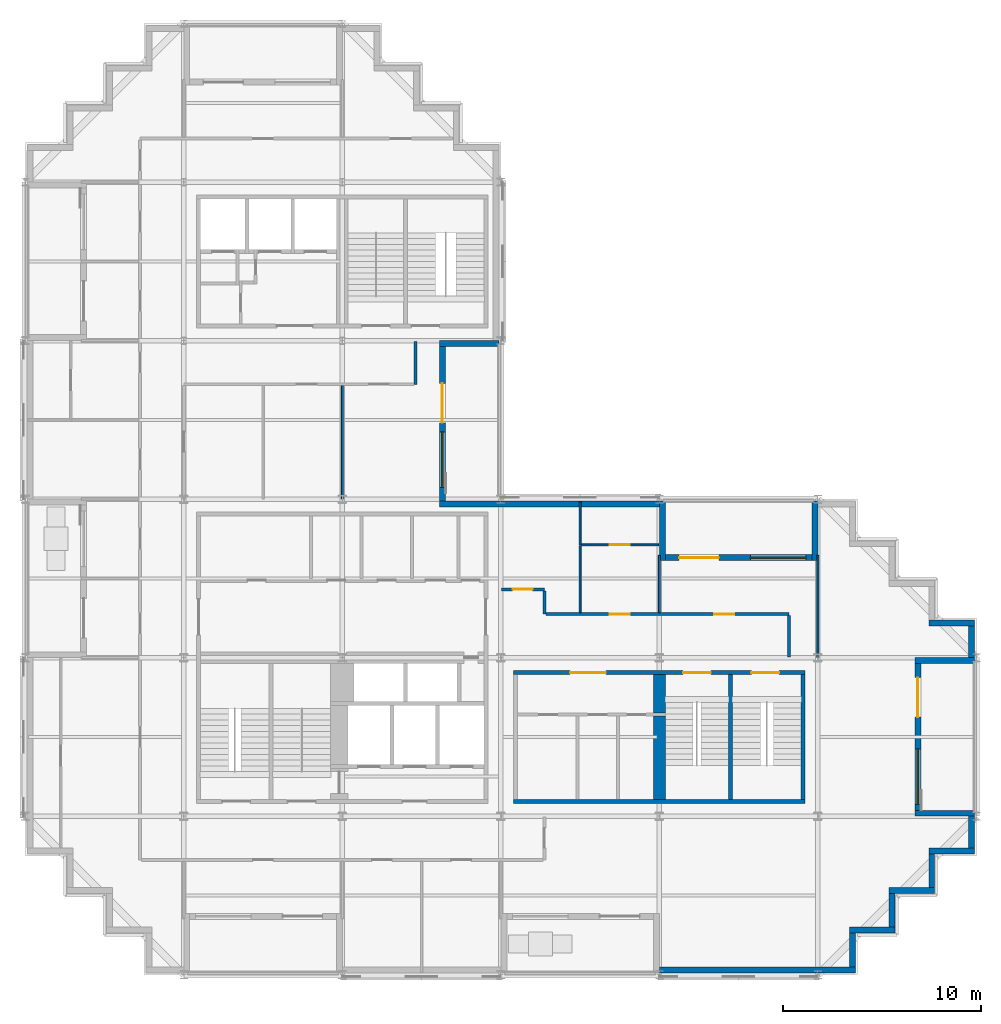
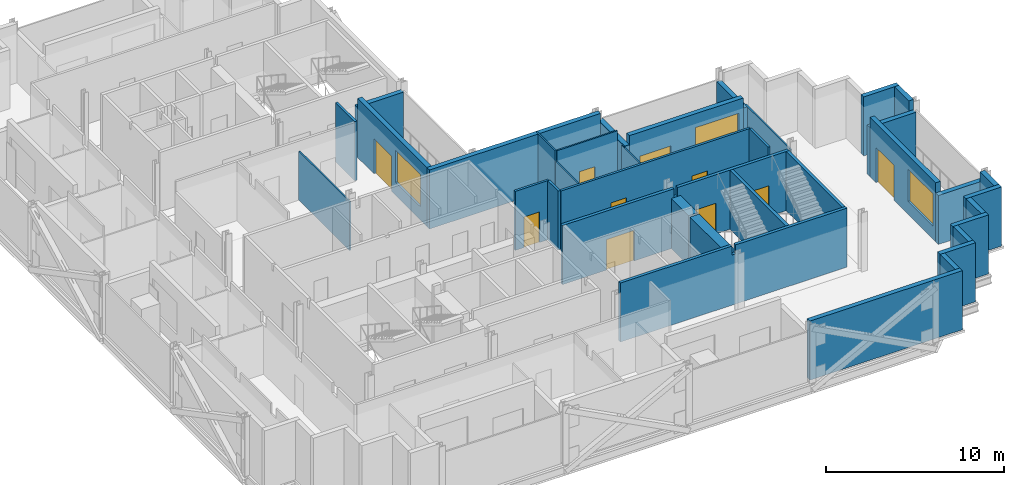
# One storey, part 7 of 13: 36 walls, 10 doors, 3 windows, 13 openings.
"""IFC4 building model written with IfcOpenShell, lengths in metres."""

from ifc_helpers import new_model, si_unit, direction, frame, frame_2d, origin, place, context, subcontext, project, spatial, polyline, rectangle, outline, extrude, material, layer, layer_set, type_object, element, fill, save


model = new_model("IFC4")

# Units and contexts
model_context = context("Model", 3, precision=1e-05, world=origin(), true_north=direction((0.0, 1.0)))
body_context = subcontext(model_context, "Body", "Model", "MODEL_VIEW")
ifc_project = project(units=[si_unit("LENGTHUNIT", "METRE"), si_unit("AREAUNIT", "SQUARE_METRE"), si_unit("VOLUMEUNIT", "CUBIC_METRE"), si_unit("PLANEANGLEUNIT", "RADIAN"), si_unit("MASSUNIT", "GRAM", prefix="KILO")], contexts=[model_context])

# Site, building, storey
site_placement = place(None, origin())
site = spatial("IfcSite", under=ifc_project, at=site_placement, CompositionType="ELEMENT")
building_placement = place(site_placement, origin())
building = spatial("IfcBuilding", under=site, at=building_placement, Name="Immortelle Media Tower", CompositionType="ELEMENT")
storey_placement = place(building_placement, frame((0.0, 0.0, 170.39990234375)))
storey = spatial("IfcBuildingStorey", under=building, at=storey_placement, Name="L35", CompositionType="ELEMENT", Elevation=170.39990234375)

# Wall
ifc_material_1 = material(Name="Fire-rated gypsum board", Category="gypsum")
ifc_layer_1 = layer(ifc_material_1, 0.012451171875)
ifc_material_2 = material(Name="Steel ASTM A653 SS Gr 50 stud frame with mineral wool", Category="steel")
ifc_layer_2 = layer(ifc_material_2, 0.125)
ifc_layer_3 = layer(ifc_material_1, 0.012451171875)
ifc_layer_set_1 = layer_set([ifc_layer_1, ifc_layer_2, ifc_layer_3], Name="Steel ASTM A653 SS Gr 50 stud frame with mineral wool")
wall_type_1 = type_object("IfcWallType", Name="Corridor wall 150", PredefinedType="PARTITIONING", material=ifc_layer_set_1)
wall_1_placement = place(storey_placement, frame((38.550048828125, 16.030029296875, 0.0), z_axis=(0.0, 0.0, 1.0), x_axis=(0.0, 1.0, 0.0)))
element("IfcWall", 1, at=wall_1_placement, inside=storey, type_object=wall_type_1, Name="Partition L35-010", PredefinedType="PARTITIONING", context=body_context, shape_type="SweptSolid", body=[
    extrude(rectangle(XDim=2.094970703125, YDim=0.14990234375, at=frame_2d((1.04736328125, 0.0))), origin(), (0.0, 0.0, 1.0), 4.050048828125),
])

# Wall, openings, doors
wall_2_placement = place(storey_placement, frame((26.27490234375, 18.199951171875, 0.0), z_axis=(0.0, 0.0, 1.0), x_axis=(1.0, 0.0, 0.0)))
wall_2 = element("IfcWall", 2, at=wall_2_placement, inside=storey, type_object=wall_type_1, Name="Partition L35-012", PredefinedType="PARTITIONING", context=body_context, shape_type="SweptSolid", body=[
    extrude(rectangle(XDim=12.275146484375, YDim=0.14990234375, at=frame_2d((6.1376953125, 0.0))), origin(), (0.0, 0.0, 1.0), 4.050048828125),
])
opening_1_placement = place(wall_2_placement, frame((8.5, 0.0, 0.0)))
opening_1 = element("IfcOpeningElement", 3, at=opening_1_placement, cuts=wall_2, Name="Opening C5-F007", PredefinedType="OPENING", context=body_context, shape_type="SweptSolid", body=[
    extrude(rectangle(XDim=1.0, YDim=2.10009765625, at=frame_2d((0.5, 1.050048828125))), frame((0.0, 0.0849609375, 0.0), z_axis=(0.0, -1.0, 0.0), x_axis=(1.0, 0.0, 0.0)), (0.0, 0.0, 1.0), 0.169921875),
])
opening_2_placement = place(wall_2_placement, frame((3.22509765625, 0.0, 0.0)))
opening_2 = element("IfcOpeningElement", 4, at=opening_2_placement, cuts=wall_2, Name="Opening C5-F011", PredefinedType="OPENING", context=body_context, shape_type="SweptSolid", body=[
    extrude(rectangle(XDim=1.0, YDim=2.10009765625, at=frame_2d((0.5, 1.050048828125))), frame((0.0, 0.0849609375, 0.0), z_axis=(0.0, -1.0, 0.0), x_axis=(1.0, 0.0, 0.0)), (0.0, 0.0, 1.0), 0.169921875),
])
ifc_material_3 = material(Name="Timber veneered door leaf, galvanised steel frame ASTM A653", Category="steel")
door_type_1 = type_object("IfcDoorType", Name="Room door 1000 x 2100", OperationType="NOTDEFINED", PredefinedType="DOOR", material=ifc_material_3)
door_1_placement = place(opening_1_placement, origin())
door_1 = element("IfcDoor", 5, at=door_1_placement, inside=storey, type_object=door_type_1, Name="Door C5-F007", OperationType="SINGLE_SWING_LEFT", OverallHeight=2.10009765625, OverallWidth=1.0, PredefinedType="DOOR", context=body_context, shape_type="SweptSolid", body=[
    extrude(rectangle(XDim=1.0, YDim=2.10009765625, at=frame_2d((0.5, 1.050048828125))), frame((0.0, 0.02490234375, 0.0), z_axis=(0.0, -1.0, 0.0), x_axis=(1.0, 0.0, 0.0)), (0.0, 0.0, 1.0), 0.050048828125),
])
fill(opening_1, door_1)
door_2_placement = place(opening_2_placement, origin())
door_2 = element("IfcDoor", 6, at=door_2_placement, inside=storey, type_object=door_type_1, Name="Door C5-F011", OperationType="SINGLE_SWING_RIGHT", OverallHeight=2.10009765625, OverallWidth=1.0, PredefinedType="DOOR", context=body_context, shape_type="SweptSolid", body=[
    extrude(rectangle(XDim=1.0, YDim=2.10009765625, at=frame_2d((0.5, 1.050048828125))), frame((0.0, 0.02490234375, 0.0), z_axis=(0.0, -1.0, 0.0), x_axis=(1.0, 0.0, 0.0)), (0.0, 0.0, 1.0), 0.050048828125),
])
fill(opening_2, door_2)

# Wall
wall_3_placement = place(storey_placement, frame((26.199951171875, 18.199951171875, 0.0), z_axis=(0.0, 0.0, 1.0), x_axis=(0.0, 1.0, 0.0)))
element("IfcWall", 7, at=wall_3_placement, inside=storey, type_object=wall_type_1, Name="Partition L35-013", PredefinedType="PARTITIONING", context=body_context, shape_type="SweptSolid", body=[
    extrude(rectangle(XDim=1.175048828125, YDim=0.14990234375, at=frame_2d((0.58740234375, 0.0))), origin(), (0.0, 0.0, 1.0), 4.050048828125),
])

# Wall, opening, door
wall_4_placement = place(storey_placement, frame((24.030029296875, 19.449951171875, 0.0), z_axis=(0.0, 0.0, 1.0), x_axis=(1.0, 0.0, 0.0)))
wall_4 = element("IfcWall", 8, at=wall_4_placement, inside=storey, type_object=wall_type_1, Name="Partition L35-016", PredefinedType="PARTITIONING", context=body_context, shape_type="SweptSolid", body=[
    extrude(rectangle(XDim=2.169921875, YDim=0.14990234375, at=frame_2d((1.0849609375, 0.0))), origin(), (0.0, 0.0, 1.0), 4.050048828125),
])
opening_3_placement = place(wall_4_placement, frame((0.570068359375, 0.0, 0.0)))
opening_3 = element("IfcOpeningElement", 9, at=opening_3_placement, cuts=wall_4, Name="Opening C5-F010", PredefinedType="OPENING", context=body_context, shape_type="SweptSolid", body=[
    extrude(rectangle(XDim=1.0, YDim=2.10009765625, at=frame_2d((0.5, 1.050048828125))), frame((0.0, 0.0849609375, 0.0), z_axis=(0.0, -1.0, 0.0), x_axis=(1.0, 0.0, 0.0)), (0.0, 0.0, 1.0), 0.169921875),
])
door_3_placement = place(opening_3_placement, origin())
door_3 = element("IfcDoor", 10, at=door_3_placement, inside=storey, type_object=door_type_1, Name="Door C5-F010", OperationType="SINGLE_SWING_LEFT", OverallHeight=2.10009765625, OverallWidth=1.0, PredefinedType="DOOR", context=body_context, shape_type="SweptSolid", body=[
    extrude(rectangle(XDim=1.0, YDim=2.10009765625, at=frame_2d((0.5, 1.050048828125))), frame((0.0, 0.02490234375, 0.0), z_axis=(0.0, -1.0, 0.0), x_axis=(1.0, 0.0, 0.0)), (0.0, 0.0, 1.0), 0.050048828125),
])
fill(opening_3, door_3)

# Walls
wall_5_placement = place(storey_placement, frame((19.699951171875, 29.800048828125, 0.0), z_axis=(0.0, 0.0, 1.0), x_axis=(0.0, 1.0, 0.0)))
element("IfcWall", 11, at=wall_5_placement, inside=storey, type_object=wall_type_1, Name="Partition L35-028", PredefinedType="PARTITIONING", context=body_context, shape_type="SweptSolid", body=[
    extrude(rectangle(XDim=2.169921875, YDim=0.14990234375, at=frame_2d((1.0849609375, 0.0))), origin(), (0.0, 0.0, 1.0), 4.050048828125),
])
ifc_material_4 = material(Name="Pale aluminium cladding panel", Category="aluminium")
ifc_layer_4 = layer(ifc_material_4, 0.030029296875)
ifc_layer_5 = layer(ifc_material_2, 0.257568359375)
ifc_material_5 = material(Name="Moisture-resistant gypsum board", Category="gypsum")
ifc_layer_6 = layer(ifc_material_5, 0.012451171875)
ifc_layer_set_2 = layer_set([ifc_layer_4, ifc_layer_5, ifc_layer_6], Name="Steel ASTM A653 SS Gr 50 stud frame with mineral wool")
wall_type_2 = type_object("IfcWallType", Name="Facade wall 300", PredefinedType="SOLIDWALL", material=ifc_layer_set_2)
wall_6_placement = place(storey_placement, frame((32.0, 0.25, 0.0), z_axis=(0.0, 0.0, 1.0), x_axis=(1.0, 0.0, 0.0)))
element("IfcWall", 12, at=wall_6_placement, inside=storey, type_object=wall_type_2, Name="Facade wall L35 S6", PredefinedType="SOLIDWALL", context=body_context, shape_type="SweptSolid", body=[
    extrude(rectangle(XDim=9.89990234375, YDim=0.300048828125, at=frame_2d((4.949951171875, 0.0))), origin(), (0.0, 0.0, 1.0), 4.050048828125),
])
wall_7_placement = place(storey_placement, frame((41.75, 0.39990234375, 0.0), z_axis=(0.0, 0.0, 1.0), x_axis=(0.0, 1.0, 0.0)))
element("IfcWall", 13, at=wall_7_placement, inside=storey, type_object=wall_type_2, Name="Facade wall L35 E7", PredefinedType="SOLIDWALL", context=body_context, shape_type="SweptSolid", body=[
    extrude(rectangle(XDim=1.7001953125, YDim=0.300048828125, at=frame_2d((0.85009765625, 0.0))), origin(), (0.0, 0.0, 1.0), 4.050048828125),
])
wall_8_placement = place(storey_placement, frame((41.60009765625, 2.25, 0.0), z_axis=(0.0, 0.0, 1.0), x_axis=(1.0, 0.0, 0.0)))
element("IfcWall", 14, at=wall_8_placement, inside=storey, type_object=wall_type_2, Name="Facade wall L35 S8", PredefinedType="SOLIDWALL", context=body_context, shape_type="SweptSolid", body=[
    extrude(rectangle(XDim=2.2998046875, YDim=0.300048828125, at=frame_2d((1.14990234375, 0.0))), origin(), (0.0, 0.0, 1.0), 4.050048828125),
])
wall_9_placement = place(storey_placement, frame((43.75, 2.39990234375, 0.0), z_axis=(0.0, 0.0, 1.0), x_axis=(0.0, 1.0, 0.0)))
element("IfcWall", 15, at=wall_9_placement, inside=storey, type_object=wall_type_2, Name="Facade wall L35 E9", PredefinedType="SOLIDWALL", context=body_context, shape_type="SweptSolid", body=[
    extrude(rectangle(XDim=1.7001953125, YDim=0.300048828125, at=frame_2d((0.85009765625, 0.0))), origin(), (0.0, 0.0, 1.0), 4.050048828125),
])
wall_10_placement = place(storey_placement, frame((43.60009765625, 4.25, 0.0), z_axis=(0.0, 0.0, 1.0), x_axis=(1.0, 0.0, 0.0)))
element("IfcWall", 16, at=wall_10_placement, inside=storey, type_object=wall_type_2, Name="Facade wall L35 S10", PredefinedType="SOLIDWALL", context=body_context, shape_type="SweptSolid", body=[
    extrude(rectangle(XDim=2.2998046875, YDim=0.300048828125, at=frame_2d((1.14990234375, 0.0))), origin(), (0.0, 0.0, 1.0), 4.050048828125),
])
wall_11_placement = place(storey_placement, frame((45.75, 4.39990234375, 0.0), z_axis=(0.0, 0.0, 1.0), x_axis=(0.0, 1.0, 0.0)))
element("IfcWall", 17, at=wall_11_placement, inside=storey, type_object=wall_type_2, Name="Facade wall L35 E11", PredefinedType="SOLIDWALL", context=body_context, shape_type="SweptSolid", body=[
    extrude(rectangle(XDim=1.7001953125, YDim=0.300048828125, at=frame_2d((0.85009765625, 0.0))), origin(), (0.0, 0.0, 1.0), 4.050048828125),
])
wall_12_placement = place(storey_placement, frame((45.60009765625, 6.25, 0.0), z_axis=(0.0, 0.0, 1.0), x_axis=(1.0, 0.0, 0.0)))
element("IfcWall", 18, at=wall_12_placement, inside=storey, type_object=wall_type_2, Name="Facade wall L35 S12", PredefinedType="SOLIDWALL", context=body_context, shape_type="SweptSolid", body=[
    extrude(rectangle(XDim=2.2998046875, YDim=0.300048828125, at=frame_2d((1.14990234375, 0.0))), origin(), (0.0, 0.0, 1.0), 4.050048828125),
])
wall_13_placement = place(storey_placement, frame((47.75, 6.39990234375, 0.0), z_axis=(0.0, 0.0, 1.0), x_axis=(0.0, 1.0, 0.0)))
element("IfcWall", 19, at=wall_13_placement, inside=storey, type_object=wall_type_2, Name="Facade wall L35 E13", PredefinedType="SOLIDWALL", context=body_context, shape_type="SweptSolid", body=[
    extrude(rectangle(XDim=1.60009765625, YDim=0.300048828125, at=frame_2d((0.800048828125, 0.0))), origin(), (0.0, 0.0, 1.0), 4.050048828125),
])

# Wall, openings, door, window
wall_14_placement = place(storey_placement, frame((45.050048828125, 8.300048828125, 0.0), z_axis=(0.0, 0.0, 1.0), x_axis=(0.0, 1.0, 0.0)))
wall_14 = element("IfcWall", 20, at=wall_14_placement, inside=storey, type_object=wall_type_2, Name="Loggia wall L35 E13", PredefinedType="SOLIDWALL", context=body_context, shape_type="SweptSolid", body=[
    extrude(rectangle(XDim=7.39990234375, YDim=0.300048828125, at=frame_2d((3.699951171875, 0.0))), origin(), (0.0, 0.0, 1.0), 4.050048828125),
])
opening_4_placement = place(wall_14_placement, frame((0.300048828125, 0.0, 0.89990234375)))
opening_4 = element("IfcOpeningElement", 21, at=opening_4_placement, cuts=wall_14, Name="Opening W1", PredefinedType="OPENING", context=body_context, shape_type="SweptSolid", body=[
    extrude(rectangle(XDim=2.800048828125, YDim=2.199951171875, at=frame_2d((1.39990234375, 1.10009765625))), frame((0.0, 0.159912109375, 0.0), z_axis=(0.0, -1.0, 0.0), x_axis=(1.0, 0.0, 0.0)), (0.0, 0.0, 1.0), 0.320068359375),
])
opening_5_placement = place(wall_14_placement, frame((4.699951171875, 0.0, 0.0)))
opening_5 = element("IfcOpeningElement", 22, at=opening_5_placement, cuts=wall_14, Name="Opening C5-E003", PredefinedType="OPENING", context=body_context, shape_type="SweptSolid", body=[
    extrude(rectangle(XDim=2.0, YDim=2.39990234375, at=frame_2d((1.0, 1.199951171875))), frame((0.0, 0.159912109375, 0.0), z_axis=(0.0, -1.0, 0.0), x_axis=(1.0, 0.0, 0.0)), (0.0, 0.0, 1.0), 0.320068359375),
])
ifc_material_6 = material(Name="Aluminium frame, glazed leaves", Category="aluminium")
door_type_2 = type_object("IfcDoorType", Name="Loggia door 2000 x 2400", OperationType="DOUBLE_DOOR_SINGLE_SWING", PredefinedType="DOOR", material=ifc_material_6)
door_4_placement = place(opening_5_placement, origin())
door_4 = element("IfcDoor", 23, at=door_4_placement, inside=storey, type_object=door_type_2, Name="Door C5-E003", OperationType="DOUBLE_DOOR_SINGLE_SWING", OverallHeight=2.39990234375, OverallWidth=2.0, PredefinedType="DOOR", context=body_context, shape_type="SweptSolid", body=[
    extrude(rectangle(XDim=2.0, YDim=2.39990234375, at=frame_2d((1.0, 1.199951171875))), frame((0.0, 0.02490234375, 0.0), z_axis=(0.0, -1.0, 0.0), x_axis=(1.0, 0.0, 0.0)), (0.0, 0.0, 1.0), 0.050048828125),
])
fill(opening_5, door_4)
ifc_material_7 = material(Name="Aluminium frame", Category="aluminium")
window_type = type_object("IfcWindowType", Name="Window 2800 x 2200", PartitioningType="SINGLE_PANEL", PredefinedType="WINDOW", material=ifc_material_7)
window_1_placement = place(opening_4_placement, origin())
window_1 = element("IfcWindow", 24, at=window_1_placement, inside=storey, type_object=window_type, Name="Window L35 L35-R13-B0", OverallHeight=2.199951171875, OverallWidth=2.800048828125, PartitioningType="SINGLE_PANEL", PredefinedType="WINDOW", context=body_context, shape_type="SweptSolid", body=[
    extrude(rectangle(XDim=2.800048828125, YDim=2.199951171875, at=frame_2d((1.39990234375, 1.10009765625))), frame((0.0, 0.030029296875, 0.0), z_axis=(0.0, -1.0, 0.0), x_axis=(1.0, 0.0, 0.0)), (0.0, 0.0, 1.0), 0.06005859375),
])
fill(opening_4, window_1)

# Walls
for number, where, z_axis, x_axis, name in (
    (25, (47.89990234375, 8.14990234375, 0.0), (0.0, 0.0, 1.0), (-1.0, 0.0, 0.0), "Loggia cheek wall L35 E"),
    (26, (47.89990234375, 15.85009765625, 0.0), (0.0, 0.0, 1.0), (-1.0, 0.0, 0.0), "Loggia cheek wall L35 E"),
):
    element("IfcWall", number, at=place(storey_placement, frame(where, z_axis=z_axis, x_axis=x_axis)), inside=storey, type_object=wall_type_2, Name=name, PredefinedType="SOLIDWALL", context=body_context, shape_type="SweptSolid", body=[
        extrude(rectangle(XDim=3.0, YDim=0.300048828125, at=frame_2d((1.5, 0.0))), origin(), (0.0, 0.0, 1.0), 3.35302734375),
    ])
wall_15_placement = place(storey_placement, frame((47.75, 16.0, 0.0), z_axis=(0.0, 0.0, 1.0), x_axis=(0.0, 1.0, 0.0)))
element("IfcWall", 27, at=wall_15_placement, inside=storey, type_object=wall_type_2, Name="Facade wall L35 E13", PredefinedType="SOLIDWALL", context=body_context, shape_type="SweptSolid", body=[
    extrude(rectangle(XDim=1.60009765625, YDim=0.300048828125, at=frame_2d((0.800048828125, 0.0))), origin(), (0.0, 0.0, 1.0), 4.050048828125),
])
wall_16_placement = place(storey_placement, frame((47.89990234375, 17.75, 0.0), z_axis=(0.0, 0.0, 1.0), x_axis=(-1.0, 0.0, 0.0)))
element("IfcWall", 28, at=wall_16_placement, inside=storey, type_object=wall_type_2, Name="Facade wall L35 N14", PredefinedType="SOLIDWALL", context=body_context, shape_type="SweptSolid", body=[
    extrude(rectangle(XDim=2.2998046875, YDim=0.300048828125, at=frame_2d((1.14990234375, 0.0))), origin(), (0.0, 0.0, 1.0), 4.050048828125),
])

# Wall, openings, door, window
wall_17_placement = place(storey_placement, frame((39.699951171875, 21.050048828125, 0.0), z_axis=(0.0, 0.0, 1.0), x_axis=(-1.0, 0.0, 0.0)))
wall_17 = element("IfcWall", 29, at=wall_17_placement, inside=storey, type_object=wall_type_2, Name="Loggia wall L35 N20", PredefinedType="SOLIDWALL", context=body_context, shape_type="SweptSolid", body=[
    extrude(rectangle(XDim=7.39990234375, YDim=0.300048828125, at=frame_2d((3.699951171875, 0.0))), origin(), (0.0, 0.0, 1.0), 4.050048828125),
])
opening_6_placement = place(wall_17_placement, frame((0.300048828125, 0.0, 0.89990234375)))
opening_6 = element("IfcOpeningElement", 30, at=opening_6_placement, cuts=wall_17, Name="Opening W1", PredefinedType="OPENING", context=body_context, shape_type="SweptSolid", body=[
    extrude(rectangle(XDim=2.800048828125, YDim=2.199951171875, at=frame_2d((1.39990234375, 1.10009765625))), frame((0.0, 0.159912109375, 0.0), z_axis=(0.0, -1.0, 0.0), x_axis=(1.0, 0.0, 0.0)), (0.0, 0.0, 1.0), 0.320068359375),
])
opening_7_placement = place(wall_17_placement, frame((4.699951171875, 0.0, 0.0)))
opening_7 = element("IfcOpeningElement", 31, at=opening_7_placement, cuts=wall_17, Name="Opening C5-E004", PredefinedType="OPENING", context=body_context, shape_type="SweptSolid", body=[
    extrude(rectangle(XDim=2.0, YDim=2.39990234375, at=frame_2d((1.0, 1.199951171875))), frame((0.0, 0.159912109375, 0.0), z_axis=(0.0, -1.0, 0.0), x_axis=(1.0, 0.0, 0.0)), (0.0, 0.0, 1.0), 0.320068359375),
])
door_5_placement = place(opening_7_placement, origin())
door_5 = element("IfcDoor", 32, at=door_5_placement, inside=storey, type_object=door_type_2, Name="Door C5-E004", OperationType="DOUBLE_DOOR_SINGLE_SWING", OverallHeight=2.39990234375, OverallWidth=2.0, PredefinedType="DOOR", context=body_context, shape_type="SweptSolid", body=[
    extrude(rectangle(XDim=2.0, YDim=2.39990234375, at=frame_2d((1.0, 1.199951171875))), frame((0.0, 0.02490234375, 0.0), z_axis=(0.0, -1.0, 0.0), x_axis=(1.0, 0.0, 0.0)), (0.0, 0.0, 1.0), 0.050048828125),
])
fill(opening_7, door_5)
window_2_placement = place(opening_6_placement, origin())
window_2 = element("IfcWindow", 33, at=window_2_placement, inside=storey, type_object=window_type, Name="Window L35 L35-R20-B0", OverallHeight=2.199951171875, OverallWidth=2.800048828125, PartitioningType="SINGLE_PANEL", PredefinedType="WINDOW", context=body_context, shape_type="SweptSolid", body=[
    extrude(rectangle(XDim=2.800048828125, YDim=2.199951171875, at=frame_2d((1.39990234375, 1.10009765625))), frame((0.0, 0.030029296875, 0.0), z_axis=(0.0, -1.0, 0.0), x_axis=(1.0, 0.0, 0.0)), (0.0, 0.0, 1.0), 0.06005859375),
])
fill(opening_6, window_2)

# Walls
wall_18_placement = place(storey_placement, frame((39.85009765625, 23.89990234375, 0.0), z_axis=(0.0, 0.0, 1.0), x_axis=(0.0, -1.0, 0.0)))
element("IfcWall", 34, at=wall_18_placement, inside=storey, type_object=wall_type_2, Name="Loggia cheek wall L35 N", PredefinedType="SOLIDWALL", context=body_context, shape_type="SweptSolid", body=[
    extrude(rectangle(XDim=3.0, YDim=0.300048828125, at=frame_2d((1.5, 0.0))), origin(), (0.0, 0.0, 1.0), 3.35302734375),
])
wall_19_placement = place(storey_placement, frame((32.14990234375, 23.89990234375, 0.0), z_axis=(0.0, 0.0, 1.0), x_axis=(0.0, -1.0, 0.0)))
element("IfcWall", 35, at=wall_19_placement, inside=storey, type_object=wall_type_2, Name="Loggia cheek wall L35 N", PredefinedType="SOLIDWALL", context=body_context, shape_type="SweptSolid", body=[
    extrude(rectangle(XDim=3.0, YDim=0.300048828125, at=frame_2d((1.5, 0.0))), origin(), (0.0, 0.0, 1.0), 3.43701171875),
])
wall_20_placement = place(storey_placement, frame((32.0, 23.75, 0.0), z_axis=(0.0, 0.0, 1.0), x_axis=(-1.0, 0.0, 0.0)))
element("IfcWall", 36, at=wall_20_placement, inside=storey, type_object=wall_type_2, Name="Facade wall L35 N20", PredefinedType="SOLIDWALL", context=body_context, shape_type="SweptSolid", body=[
    extrude(rectangle(XDim=11.10009765625, YDim=0.300048828125, at=frame_2d((5.550048828125, 0.0))), origin(), (0.0, 0.0, 1.0), 4.050048828125),
])

# Wall, openings, door, window
wall_21_placement = place(storey_placement, frame((21.050048828125, 23.89990234375, 0.0), z_axis=(0.0, 0.0, 1.0), x_axis=(0.0, 1.0, 0.0)))
wall_21 = element("IfcWall", 37, at=wall_21_placement, inside=storey, type_object=wall_type_2, Name="Loggia wall L35 E21", PredefinedType="SOLIDWALL", context=body_context, shape_type="SweptSolid", body=[
    extrude(rectangle(XDim=7.800048828125, YDim=0.300048828125, at=frame_2d((3.89990234375, 0.0))), origin(), (0.0, 0.0, 1.0), 4.050048828125),
])
opening_8_placement = place(wall_21_placement, frame((0.699951171875, 0.0, 0.89990234375)))
opening_8 = element("IfcOpeningElement", 38, at=opening_8_placement, cuts=wall_21, Name="Opening W1", PredefinedType="OPENING", context=body_context, shape_type="SweptSolid", body=[
    extrude(rectangle(XDim=2.800048828125, YDim=2.199951171875, at=frame_2d((1.39990234375, 1.10009765625))), frame((0.0, 0.159912109375, 0.0), z_axis=(0.0, -1.0, 0.0), x_axis=(1.0, 0.0, 0.0)), (0.0, 0.0, 1.0), 0.320068359375),
])
opening_9_placement = place(wall_21_placement, frame((3.949951171875, 0.0, 0.0)))
opening_9 = element("IfcOpeningElement", 39, at=opening_9_placement, cuts=wall_21, Name="Opening C5-E005", PredefinedType="OPENING", context=body_context, shape_type="SweptSolid", body=[
    extrude(rectangle(XDim=2.0, YDim=2.39990234375, at=frame_2d((1.0, 1.199951171875))), frame((0.0, 0.159912109375, 0.0), z_axis=(0.0, -1.0, 0.0), x_axis=(1.0, 0.0, 0.0)), (0.0, 0.0, 1.0), 0.320068359375),
])
door_6_placement = place(opening_9_placement, origin())
door_6 = element("IfcDoor", 40, at=door_6_placement, inside=storey, type_object=door_type_2, Name="Door C5-E005", OperationType="DOUBLE_DOOR_SINGLE_SWING", OverallHeight=2.39990234375, OverallWidth=2.0, PredefinedType="DOOR", context=body_context, shape_type="SweptSolid", body=[
    extrude(rectangle(XDim=2.0, YDim=2.39990234375, at=frame_2d((1.0, 1.199951171875))), frame((0.0, 0.02490234375, 0.0), z_axis=(0.0, -1.0, 0.0), x_axis=(1.0, 0.0, 0.0)), (0.0, 0.0, 1.0), 0.050048828125),
])
fill(opening_9, door_6)
window_3_placement = place(opening_8_placement, origin())
window_3 = element("IfcWindow", 41, at=window_3_placement, inside=storey, type_object=window_type, Name="Window L35 L35-R21-B0", OverallHeight=2.199951171875, OverallWidth=2.800048828125, PartitioningType="SINGLE_PANEL", PredefinedType="WINDOW", context=body_context, shape_type="SweptSolid", body=[
    extrude(rectangle(XDim=2.800048828125, YDim=2.199951171875, at=frame_2d((1.39990234375, 1.10009765625))), frame((0.0, 0.030029296875, 0.0), z_axis=(0.0, -1.0, 0.0), x_axis=(1.0, 0.0, 0.0)), (0.0, 0.0, 1.0), 0.06005859375),
])
fill(opening_8, window_3)

# Walls
wall_22_placement = place(storey_placement, frame((23.89990234375, 31.85009765625, 0.0), z_axis=(0.0, 0.0, 1.0), x_axis=(-1.0, 0.0, 0.0)))
element("IfcWall", 42, at=wall_22_placement, inside=storey, type_object=wall_type_2, Name="Loggia cheek wall L35 E", PredefinedType="SOLIDWALL", context=body_context, shape_type="SweptSolid", body=[
    extrude(rectangle(XDim=3.0, YDim=0.300048828125, at=frame_2d((1.5, 0.0))), origin(), (0.0, 0.0, 1.0), 3.43701171875),
])
ifc_material_8 = material(Name="Gypsum board", Category="gypsum")
ifc_layer_7 = layer(ifc_material_8, 0.012451171875)
ifc_layer_8 = layer(ifc_material_2, 0.074951171875)
ifc_layer_9 = layer(ifc_material_8, 0.012451171875)
ifc_layer_set_3 = layer_set([ifc_layer_7, ifc_layer_8, ifc_layer_9], Name="Steel ASTM A653 SS Gr 50 stud frame with mineral wool")
wall_type_3 = type_object("IfcWallType", Name="Partition 100", PredefinedType="PARTITIONING", material=ifc_layer_set_3)
wall_23_placement = place(storey_placement, frame((40.0, 16.030029296875, 0.0), z_axis=(0.0, 0.0, 1.0), x_axis=(0.0, 1.0, 0.0)))
element("IfcWall", 43, at=wall_23_placement, inside=storey, type_object=wall_type_3, Name="Partition L35-011", PredefinedType="PARTITIONING", context=body_context, shape_type="SweptSolid", body=[
    extrude(rectangle(XDim=5.139892578125, YDim=0.10009765625, at=frame_2d((2.56982421875, 0.0))), origin(), (0.0, 0.0, 1.0), 3.35400390625),
])
wall_24_placement = place(storey_placement, frame((28.0, 18.27490234375, 0.0), z_axis=(0.0, 0.0, 1.0), x_axis=(0.0, 1.0, 0.0)))
element("IfcWall", 44, at=wall_24_placement, inside=storey, type_object=wall_type_3, Name="Partition L35-014", PredefinedType="PARTITIONING", context=body_context, shape_type="SweptSolid", body=[
    extrude(rectangle(XDim=3.375, YDim=0.10009765625, at=frame_2d((1.6875, 0.0))), origin(), (0.0, 0.0, 1.0), 3.35400390625),
])
wall_25_placement = place(storey_placement, frame((32.0, 18.27490234375, 0.0), z_axis=(0.0, 0.0, 1.0), x_axis=(0.0, 1.0, 0.0)))
element("IfcWall", 45, at=wall_25_placement, inside=storey, type_object=wall_type_3, Name="Partition L35-015", PredefinedType="PARTITIONING", context=body_context, shape_type="SweptSolid", body=[
    extrude(rectangle(XDim=2.89501953125, YDim=0.10009765625, at=frame_2d((1.447509765625, 0.0))), origin(), (0.0, 0.0, 1.0), 3.35400390625),
])

# Wall, opening, door
wall_26_placement = place(storey_placement, frame((28.050048828125, 21.699951171875, 0.0), z_axis=(0.0, 0.0, 1.0), x_axis=(1.0, 0.0, 0.0)))
wall_26 = element("IfcWall", 46, at=wall_26_placement, inside=storey, type_object=wall_type_3, Name="Partition L35-018", PredefinedType="PARTITIONING", context=body_context, shape_type="SweptSolid", body=[
    extrude(rectangle(XDim=3.919921875, YDim=0.10009765625, at=frame_2d((1.9599609375, 0.0))), origin(), (0.0, 0.0, 1.0), 4.050048828125),
])
opening_10_placement = place(wall_26_placement, frame((1.449951171875, 0.0, 0.0)))
opening_10 = element("IfcOpeningElement", 47, at=opening_10_placement, cuts=wall_26, Name="Opening C5-F012", PredefinedType="OPENING", context=body_context, shape_type="SweptSolid", body=[
    extrude(rectangle(XDim=1.0, YDim=2.10009765625, at=frame_2d((0.5, 1.050048828125))), frame((0.0, 0.06005859375, 0.0), z_axis=(0.0, -1.0, 0.0), x_axis=(1.0, 0.0, 0.0)), (0.0, 0.0, 1.0), 0.1201171875),
])
door_7_placement = place(opening_10_placement, origin())
door_7 = element("IfcDoor", 48, at=door_7_placement, inside=storey, type_object=door_type_1, Name="Door C5-F012", OperationType="SINGLE_SWING_RIGHT", OverallHeight=2.10009765625, OverallWidth=1.0, PredefinedType="DOOR", context=body_context, shape_type="SweptSolid", body=[
    extrude(rectangle(XDim=1.0, YDim=2.10009765625, at=frame_2d((0.5, 1.050048828125))), frame((0.0, 0.02490234375, 0.0), z_axis=(0.0, -1.0, 0.0), x_axis=(1.0, 0.0, 0.0)), (0.0, 0.0, 1.0), 0.050048828125),
])
fill(opening_10, door_7)

# Walls
wall_27_placement = place(storey_placement, frame((28.0, 21.699951171875, 0.0), z_axis=(0.0, 0.0, 1.0), x_axis=(0.0, 1.0, 0.0)))
element("IfcWall", 49, at=wall_27_placement, inside=storey, type_object=wall_type_3, Name="Partition L35-019", PredefinedType="PARTITIONING", context=body_context, shape_type="SweptSolid", body=[
    extrude(rectangle(XDim=2.170166015625, YDim=0.10009765625, at=frame_2d((1.0849609375, 0.0))), origin(), (0.0, 0.0, 1.0), 4.050048828125),
])
wall_28_placement = place(storey_placement, frame((16.0, 24.030029296875, 0.0), z_axis=(0.0, 0.0, 1.0), x_axis=(0.0, 1.0, 0.0)))
element("IfcWall", 50, at=wall_28_placement, inside=storey, type_object=wall_type_3, Name="Partition L35-023", PredefinedType="PARTITIONING", context=body_context, shape_type="SweptSolid", body=[
    extrude(rectangle(XDim=5.695068359375, YDim=0.10009765625, at=frame_2d((2.84765625, 0.0))), origin(), (0.0, 0.0, 1.0), 3.35400390625),
])
ifc_material_9 = material(Name="Concrete C60", Category="concrete")
ifc_layer_10 = layer(ifc_material_9, 0.199951171875)
ifc_layer_set_4 = layer_set([ifc_layer_10], Name="Concrete C60")
wall_type_4 = type_object("IfcWallType", Name="Stair shaft wall 200", PredefinedType="PARTITIONING", material=ifc_layer_set_4)
wall_29_placement = place(storey_placement, frame((24.64990234375, 8.75, 0.0), z_axis=(0.0, 0.0, 1.0), x_axis=(1.0, 0.0, 0.0)))
element("IfcWall", 51, at=wall_29_placement, inside=storey, type_object=wall_type_4, Name="Stair shaft wall SE", PredefinedType="PARTITIONING", context=body_context, shape_type="SweptSolid", body=[
    extrude(outline(polyline([(0.0, 0.0), (14.7001953125, 0.0), (14.699951171875, 4.050048828125), (7.468994140625, 4.050048828125), (7.468017578125, 3.442138671875), (7.23193359375, 3.442138671875), (7.23095703125, 4.050048828125), (0.0, 4.050048828125), (0.0, 0.0)])), frame((0.0, 0.10009765625, 0.0), z_axis=(0.0, -1.0, 0.0), x_axis=(1.0, 0.0, 0.0)), (0.0, 0.0, 1.0), 0.199951171875),
])

# Wall, openings, doors
wall_30_placement = place(storey_placement, frame((24.64990234375, 15.25, 0.0), z_axis=(0.0, 0.0, 1.0), x_axis=(1.0, 0.0, 0.0)))
wall_30 = element("IfcWall", 52, at=wall_30_placement, inside=storey, type_object=wall_type_4, Name="Stair shaft wall SE", PredefinedType="PARTITIONING", context=body_context, shape_type="SweptSolid", body=[
    extrude(outline(polyline([(0.0, 0.0), (14.7001953125, 0.0), (14.699951171875, 4.050048828125), (7.468994140625, 4.050048828125), (7.468017578125, 3.442138671875), (7.23193359375, 3.442138671875), (7.23095703125, 4.050048828125), (0.0, 4.050048828125), (0.0, 0.0)])), frame((0.0, 0.10009765625, 0.0), z_axis=(0.0, -1.0, 0.0), x_axis=(1.0, 0.0, 0.0)), (0.0, 0.0, 1.0), 0.199951171875),
])
opening_11_placement = place(wall_30_placement, frame((2.85009765625, 0.0, 0.0)))
opening_11 = element("IfcOpeningElement", 53, at=opening_11_placement, cuts=wall_30, Name="Opening C5-K020", PredefinedType="OPENING", context=body_context, shape_type="SweptSolid", body=[
    extrude(rectangle(XDim=1.800048828125, YDim=2.10009765625, at=frame_2d((0.89990234375, 1.050048828125))), frame((0.0, 0.10986328125, 0.0), z_axis=(0.0, -1.0, 0.0), x_axis=(1.0, 0.0, 0.0)), (0.0, 0.0, 1.0), 0.219970703125),
])
opening_12_placement = place(wall_30_placement, frame((9.949951171875, 0.0, 0.0), z_axis=(0.0, 0.0, 1.0), x_axis=(-1.0, 0.0, 0.0)))
opening_12 = element("IfcOpeningElement", 54, at=opening_12_placement, cuts=wall_30, Name="Opening C5-K023", PredefinedType="OPENING", context=body_context, shape_type="SweptSolid", body=[
    extrude(rectangle(XDim=1.39990234375, YDim=2.10009765625, at=frame_2d((0.699951171875, 1.050048828125))), frame((0.0, 0.10986328125, 0.0), z_axis=(0.0, -1.0, 0.0), x_axis=(1.0, 0.0, 0.0)), (0.0, 0.0, 1.0), 0.219970703125),
])
opening_13_placement = place(wall_30_placement, frame((13.39990234375, 0.0, 0.0), z_axis=(0.0, 0.0, 1.0), x_axis=(-1.0, 0.0, 0.0)))
opening_13 = element("IfcOpeningElement", 55, at=opening_13_placement, cuts=wall_30, Name="Opening C5-K024", PredefinedType="OPENING", context=body_context, shape_type="SweptSolid", body=[
    extrude(rectangle(XDim=1.39990234375, YDim=2.10009765625, at=frame_2d((0.699951171875, 1.050048828125))), frame((0.0, 0.10986328125, 0.0), z_axis=(0.0, -1.0, 0.0), x_axis=(1.0, 0.0, 0.0)), (0.0, 0.0, 1.0), 0.219970703125),
])
ifc_material_10 = material(Name="Galvanised steel door leaf and frame ASTM A653", Category="steel")
door_type_3 = type_object("IfcDoorType", Name="Lift lobby door 1800 x 2100", OperationType="DOUBLE_DOOR_SINGLE_SWING", PredefinedType="NOTDEFINED", material=ifc_material_10)
door_8_placement = place(opening_11_placement, origin())
door_8 = element("IfcDoor", 56, at=door_8_placement, inside=storey, type_object=door_type_3, Name="Lift lobby C5-K020", OperationType="DOUBLE_DOOR_SINGLE_SWING", OverallHeight=2.10009765625, OverallWidth=1.800048828125, PredefinedType="NOTDEFINED", context=body_context, shape_type="SweptSolid", body=[
    extrude(rectangle(XDim=1.800048828125, YDim=2.10009765625, at=frame_2d((0.89990234375, 1.050048828125))), frame((0.0, 0.02490234375, 0.0), z_axis=(0.0, -1.0, 0.0), x_axis=(1.0, 0.0, 0.0)), (0.0, 0.0, 1.0), 0.050048828125),
])
fill(opening_11, door_8)
door_type_4 = type_object("IfcDoorType", Name="Stair door 1400 x 2100", OperationType="DOUBLE_DOOR_SINGLE_SWING", PredefinedType="NOTDEFINED", material=ifc_material_10)
door_9_placement = place(opening_12_placement, origin())
door_9 = element("IfcDoor", 57, at=door_9_placement, inside=storey, type_object=door_type_4, Name="Stair C5-K023", OperationType="DOUBLE_DOOR_SINGLE_SWING", OverallHeight=2.10009765625, OverallWidth=1.39990234375, PredefinedType="NOTDEFINED", context=body_context, shape_type="SweptSolid", body=[
    extrude(rectangle(XDim=1.39990234375, YDim=2.10009765625, at=frame_2d((0.699951171875, 1.050048828125))), frame((0.0, 0.02490234375, 0.0), z_axis=(0.0, -1.0, 0.0), x_axis=(1.0, 0.0, 0.0)), (0.0, 0.0, 1.0), 0.050048828125),
])
fill(opening_12, door_9)
door_10_placement = place(opening_13_placement, origin())
door_10 = element("IfcDoor", 58, at=door_10_placement, inside=storey, type_object=door_type_4, Name="Stair C5-K024", OperationType="DOUBLE_DOOR_SINGLE_SWING", OverallHeight=2.10009765625, OverallWidth=1.39990234375, PredefinedType="NOTDEFINED", context=body_context, shape_type="SweptSolid", body=[
    extrude(rectangle(XDim=1.39990234375, YDim=2.10009765625, at=frame_2d((0.699951171875, 1.050048828125))), frame((0.0, 0.02490234375, 0.0), z_axis=(0.0, -1.0, 0.0), x_axis=(1.0, 0.0, 0.0)), (0.0, 0.0, 1.0), 0.050048828125),
])
fill(opening_13, door_10)

# Walls
for number, where, z_axis, x_axis, name in (
    (59, (35.60009765625, 8.85009765625, 0.0), (0.0, 0.0, 1.0), (0.0, 1.0, 0.0), "Stair shaft wall SE"),
    (60, (39.25, 8.85009765625, 0.0), (0.0, 0.0, 1.0), (0.0, 1.0, 0.0), "Stair shaft wall SE"),
):
    element("IfcWall", number, at=place(storey_placement, frame(where, z_axis=z_axis, x_axis=x_axis)), inside=storey, type_object=wall_type_4, Name=name, PredefinedType="PARTITIONING", context=body_context, shape_type="SweptSolid", body=[
        extrude(rectangle(XDim=6.2998046875, YDim=0.199951171875, at=frame_2d((3.14990234375, 0.0))), origin(), (0.0, 0.0, 1.0), 4.050048828125),
    ])
ifc_layer_11 = layer(ifc_material_9, 0.60009765625)
ifc_layer_set_5 = layer_set([ifc_layer_11], Name="Concrete C60")
wall_type_5 = type_object("IfcWallType", Name="Stair shaft wall 600", PredefinedType="PARTITIONING", material=ifc_layer_set_5)
wall_31_placement = place(storey_placement, frame((32.0, 8.85009765625, 0.0), z_axis=(0.0, 0.0, 1.0), x_axis=(0.0, 1.0, 0.0)))
element("IfcWall", 61, at=wall_31_placement, inside=storey, type_object=wall_type_5, Name="Stair shaft wall SE", PredefinedType="PARTITIONING", context=body_context, shape_type="SweptSolid", body=[
    extrude(rectangle(XDim=4.199951171875, YDim=0.60009765625, at=frame_2d((2.10009765625, 0.0))), origin(), (0.0, 0.0, 1.0), 3.442138671875),
])
wall_32_placement = place(storey_placement, frame((32.0, 13.199951171875, 0.0), z_axis=(0.0, 0.0, 1.0), x_axis=(0.0, 1.0, 0.0)))
element("IfcWall", 62, at=wall_32_placement, inside=storey, type_object=wall_type_5, Name="Stair shaft wall SE", PredefinedType="PARTITIONING", context=body_context, shape_type="SweptSolid", body=[
    extrude(rectangle(XDim=1.949951171875, YDim=0.60009765625, at=frame_2d((0.97509765625, 0.0))), origin(), (0.0, 0.0, 1.0), 3.442138671875),
])

save(model, "model.ifc")
